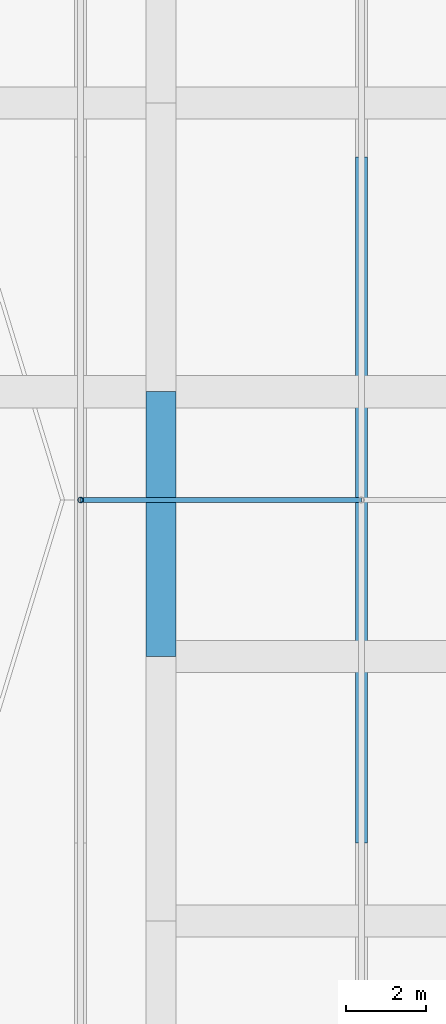
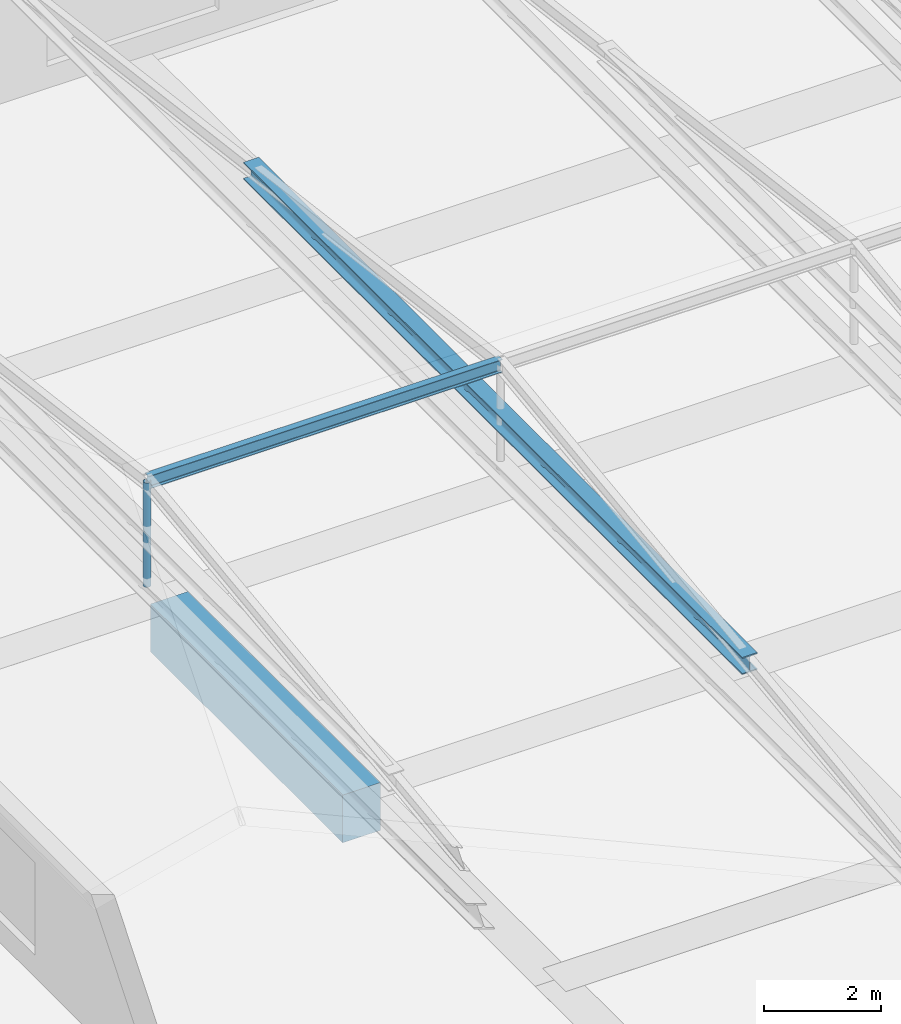
# One storey, part 24 of 49: 3 members, 1 beam.
"""IFC4 building model written with IfcOpenShell, lengths in metres."""

from ifc_helpers import new_model, si_unit, direction, frame, origin, origin_2d, place, context, subcontext, project, spatial, rectangle, hollow_circle, i_section, extrude, material, material_profile, profile_set, type_object, element, save


model = new_model("IFC4")

# Units and contexts
model_context = context("Model", 3, precision=1e-05, world=origin(), true_north=direction((0.0, 1.0)))
body_context = subcontext(model_context, "Body", "Model", "MODEL_VIEW")
ifc_project = project(units=[si_unit("LENGTHUNIT", "METRE"), si_unit("AREAUNIT", "SQUARE_METRE"), si_unit("VOLUMEUNIT", "CUBIC_METRE"), si_unit("PLANEANGLEUNIT", "RADIAN"), si_unit("MASSUNIT", "GRAM", prefix="KILO")], contexts=[model_context])

# Site, building, storey
site_placement = place(None, origin())
site = spatial("IfcSite", under=ifc_project, at=site_placement, CompositionType="ELEMENT")
building_placement = place(site_placement, origin())
building = spatial("IfcBuilding", under=site, at=building_placement, Name="Akrevak Sports Hall", CompositionType="ELEMENT")
storey_placement = place(building_placement, frame((0.0, 0.0, 24.14990234375)))
storey = spatial("IfcBuildingStorey", under=building, at=storey_placement, Name="L04", CompositionType="ELEMENT", Elevation=24.14990234375)

# Beam
ifc_material_1 = material(Name="Concrete C50/60", Category="concrete")
ifc_material_profile_1 = material_profile(ifc_material_1, rectangle(XDim=0.75, YDim=1.0, at=origin_2d()), Name="BM 750x1000", Category="concrete")
ifc_profile_set_1 = profile_set([ifc_material_profile_1], Name="Concrete C50/60")
beam_type = type_object("IfcBeamType", Name="STR-BM-RC750x1000", PredefinedType="BEAM", material=ifc_profile_set_1)
beam_placement = place(storey_placement, frame((138.0, 48.60009765625, -0.5), z_axis=(0.0, 1.0, 0.0), x_axis=(-1.0, 0.0, 0.0)))
element("IfcBeam", 1, at=beam_placement, inside=storey, type_object=beam_type, Name="Girder 19/H-I (L04)", PredefinedType="BEAM", context=body_context, shape_type="SweptSolid", body=[
    extrude(rectangle(XDim=0.75, YDim=1.0, at=origin_2d()), origin(), (0.0, 0.0, 1.0), 6.599853515625),
])

# Members
ifc_material_2 = material(Name="Steel S355", Category="steel")
ifc_material_profile_2 = material_profile(ifc_material_2, hollow_circle(Radius=0.06982421875, WallThickness=0.008056640625, at=origin_2d()), Name="CHS 139.7x8", Category="steel")
ifc_profile_set_2 = profile_set([ifc_material_profile_2], Name="Steel S355")
member_type_1 = type_object("IfcMemberType", Name="STR-MEM-BRACE-CHS139", PredefinedType="BRACE", material=ifc_profile_set_2)
member_1_placement = place(storey_placement, frame((136.0, 52.5, 2.60009765625), z_axis=(0.0, 0.0, 1.0), x_axis=(1.0, 0.0, 0.0)))
element("IfcMember", 2, at=member_1_placement, inside=storey, type_object=member_type_1, Name="East Volleyball & Climbing Hall Monitor Roof Central King Post 1", PredefinedType="BRACE", context=body_context, shape_type="SweptSolid", body=[
    extrude(hollow_circle(Radius=0.06982421875, WallThickness=0.008056640625, at=origin_2d()), origin(), (0.0, 0.0, 1.0), 2.179931640625),
])
ifc_material_profile_3 = material_profile(ifc_material_2, i_section(OverallWidth=0.300048828125, OverallDepth=0.360107421875, WebThickness=0.012451171875, FlangeThickness=0.0224609375, FilletRadius=0.027099609375, at=origin_2d()), Name="HEB 360", Category="steel")
ifc_profile_set_3 = profile_set([ifc_material_profile_3], Name="Steel S355")
member_type_2 = type_object("IfcMemberType", Name="STR-MEM-CHORD-HEB360", PredefinedType="CHORD", material=ifc_profile_set_3)
member_2_placement = place(storey_placement, frame((143.0, 43.949951171875, 3.690185546875), z_axis=(0.0, 1.0, 0.0), x_axis=(-1.0, 0.0, 0.0)))
element("IfcMember", 3, at=member_2_placement, inside=storey, type_object=member_type_2, Name="East Volleyball & Climbing Hall Monitor Roof Collar Tie Chord 2", PredefinedType="CHORD", context=body_context, shape_type="SweptSolid", body=[
    extrude(i_section(OverallWidth=0.300048828125, OverallDepth=0.360107421875, WebThickness=0.012451171875, FlangeThickness=0.0224609375, FilletRadius=0.027099609375, at=origin_2d()), origin(), (0.0, 0.0, 1.0), 17.10009765625),
])
ifc_material_profile_4 = material_profile(ifc_material_2, i_section(OverallWidth=0.135009765625, OverallDepth=0.27001953125, WebThickness=0.006591796875, FlangeThickness=0.01025390625, FilletRadius=0.014892578125, at=origin_2d()), Name="IPE 270", Category="steel")
ifc_profile_set_4 = profile_set([ifc_material_profile_4], Name="Steel S355")
member_type_3 = type_object("IfcMemberType", Name="STR-MEM-PUR-IPE270", PredefinedType="PURLIN", material=ifc_profile_set_4)
member_3_placement = place(storey_placement, frame((136.0, 52.5, 4.780029296875), z_axis=(1.0, 0.0, 0.0), x_axis=(0.0, 1.0, 0.0)))
element("IfcMember", 4, at=member_3_placement, inside=storey, type_object=member_type_3, Name="East Volleyball & Climbing Hall Monitor Roof Ridge Steel Purlin 1", PredefinedType="PURLIN", context=body_context, shape_type="SweptSolid", body=[
    extrude(i_section(OverallWidth=0.135009765625, OverallDepth=0.27001953125, WebThickness=0.006591796875, FlangeThickness=0.01025390625, FilletRadius=0.014892578125, at=origin_2d()), origin(), (0.0, 0.0, 1.0), 7.0),
])

save(model, "model.ifc")
